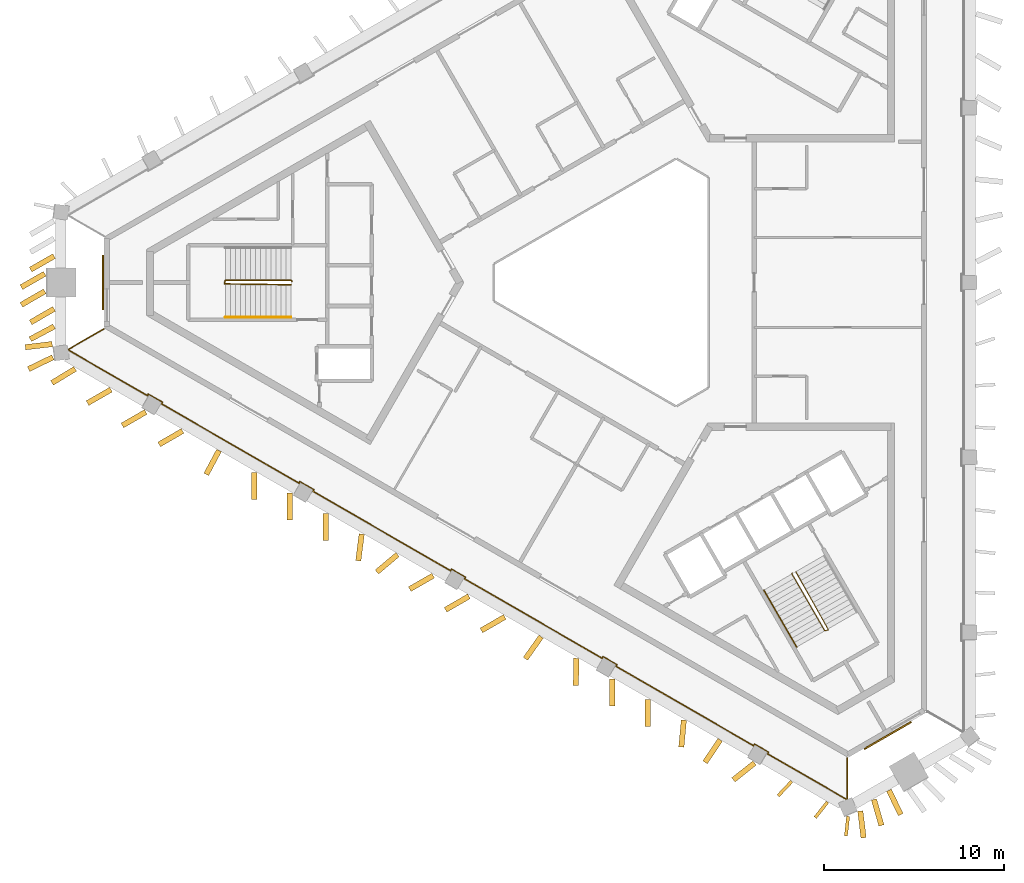
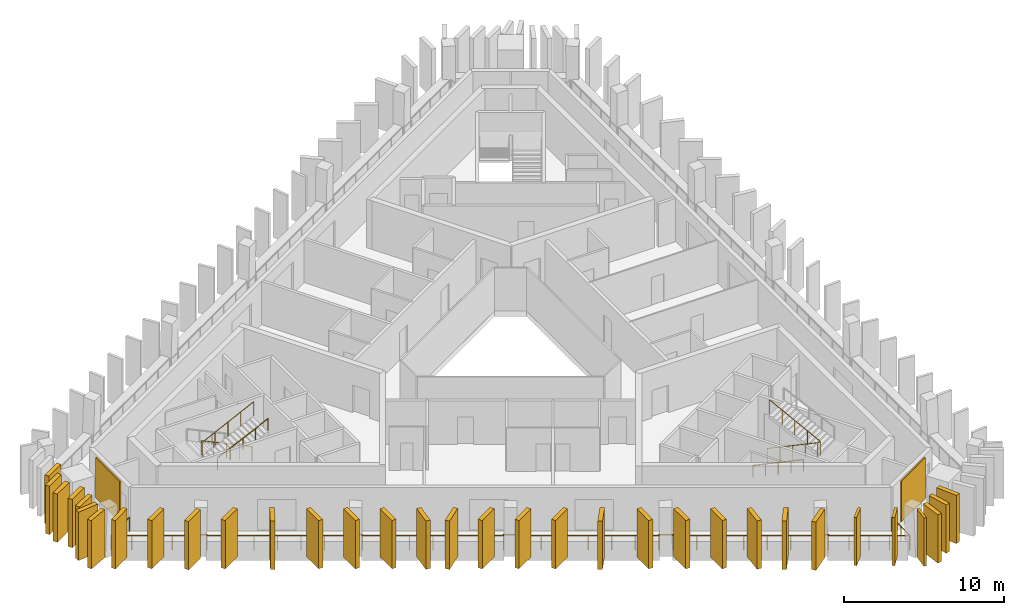
# One storey, part 7 of 9: 33 shading devices, 5 railings, 2 coverings.
"""IFC4 building model written with IfcOpenShell, lengths in metres."""

import ifcopenshell
import ifcopenshell.guid

model = None  # the IFC model being written
_history = None  # IfcOwnerHistory: only IFC2X3 demands one
_inside = {}  # id of a spatial element -> (the spatial element, [elements in it])
_under = {}  # id of a project, library or spatial element -> (it, [spatial elements below it])
_declared = {}  # id of a project -> (the project, [libraries it declares])
_typed = {}  # id of a type object -> (the type object, [elements of that type])
_made_of = {}  # id of a material, layer set ... -> (it, [elements and type objects made of it])


def new_model(schema):
    """Start an empty IFC model of exactly this schema.

    Asked for "IFC4X3", IfcOpenShell would pick the latest addendum, in which some entities
    have other attributes; the version numbers below select the first issue.
    IFC2X3 requires an IfcOwnerHistory on every rooted entity: one is made here for all.
    """
    global model, _history
    if schema == "IFC4X3":
        model = ifcopenshell.file(schema_version=(4, 3, 0, 0))
    else:
        model = ifcopenshell.file(schema=schema)
    _inside.clear()
    _under.clear()
    _declared.clear()
    _typed.clear()
    _made_of.clear()
    _history = None
    if model.schema == "IFC2X3":
        org = make("IfcOrganization", Name="unknown")
        user = make(
            "IfcPersonAndOrganization",
            ThePerson=make("IfcPerson", FamilyName="unknown"),
            TheOrganization=org,
        )
        app = make(
            "IfcApplication",
            ApplicationDeveloper=org,
            Version="unknown",
            ApplicationFullName="unknown",
            ApplicationIdentifier="unknown",
        )
        _history = make(
            "IfcOwnerHistory",
            OwningUser=user,
            OwningApplication=app,
            ChangeAction="ADDED",
            CreationDate=0,
        )
    return model


def make(cls, **values):
    """One entity of the class cls with the attributes given. An attribute that is None is left unset."""
    return model.create_entity(
        cls, **{name: value for name, value in values.items() if value is not None}
    )


def rooted(cls, **values):
    """An entity with a GlobalId (a new one), such as an element, a storey or a relation."""
    return make(cls, GlobalId=ifcopenshell.guid.new(), OwnerHistory=_history, **values)


def si_unit(unit_type, name, prefix=None):
    """IfcSIUnit, for example si_unit("LENGTHUNIT", "METRE", prefix="MILLI")."""
    return make("IfcSIUnit", UnitType=unit_type, Prefix=prefix, Name=name)


def assignment(units):
    """IfcUnitAssignment: the units of a project."""
    return None if units is None else make("IfcUnitAssignment", Units=units)


def point(xyz):
    """IfcCartesianPoint."""
    return None if xyz is None else make("IfcCartesianPoint", Coordinates=xyz)


def direction(xyz):
    """IfcDirection."""
    return None if xyz is None else make("IfcDirection", DirectionRatios=xyz)


def frame(location, z_axis=None, x_axis=None):
    """IfcAxis2Placement3D, a coordinate frame: its origin and axes. An axis left out is left unset."""
    return make(
        "IfcAxis2Placement3D",
        Location=point(location),
        Axis=direction(z_axis),
        RefDirection=direction(x_axis),
    )


def frame_2d(location, x_axis=None):
    """IfcAxis2Placement2D, a coordinate frame in the plane: its origin and x axis."""
    return make(
        "IfcAxis2Placement2D", Location=point(location), RefDirection=direction(x_axis)
    )


def origin():
    """The frame at (0, 0, 0) with its axes left unset."""
    return frame((0.0, 0.0, 0.0))


def origin_2d():
    """The frame at (0, 0) in the plane with its x axis left unset."""
    return frame_2d((0.0, 0.0))


def place(relative_to, where):
    """IfcLocalPlacement: puts the frame where relative to a parent placement (None: the world)."""
    return make(
        "IfcLocalPlacement", PlacementRelTo=relative_to, RelativePlacement=where
    )


def context(
    kind, dimensions, precision=None, world=None, true_north=None, identifier=None
):
    """IfcGeometricRepresentationContext, for example the 3D "Model" context."""
    return make(
        "IfcGeometricRepresentationContext",
        ContextIdentifier=identifier,
        ContextType=kind,
        CoordinateSpaceDimension=dimensions,
        Precision=precision,
        WorldCoordinateSystem=world,
        TrueNorth=true_north,
    )


def subcontext(parent, identifier, kind, view, scale=None):
    """IfcGeometricRepresentationSubContext, for example "Body" below "Model"."""
    return make(
        "IfcGeometricRepresentationSubContext",
        ContextIdentifier=identifier,
        ContextType=kind,
        ParentContext=parent,
        TargetScale=scale,
        TargetView=view,
    )


def project(units=None, contexts=None):
    """IfcProject with its units and contexts."""
    return rooted(
        "IfcProject",
        Name="project",
        RepresentationContexts=contexts,
        UnitsInContext=assignment(units),
    )


def spatial(cls, under=None, at=None, **own):
    """A site, building, storey or space (cls), placed at a placement, below another one or the project."""
    s = rooted(cls, ObjectPlacement=at, **own)
    if under is not None:
        _under.setdefault(under.id(), (under, []))[1].append(s)
    return s


def profile(cls, at=None, kind="AREA", **sizes):
    """A parametric profile (cls). Its sizes go by their IFC names, for example OverallWidth=200.0."""
    return make(cls, ProfileType=kind, Position=at, **sizes)


def rectangle(**sizes):
    """IfcRectangleProfileDef."""
    return profile("IfcRectangleProfileDef", **sizes)


def circle(**sizes):
    """IfcCircleProfileDef."""
    return profile("IfcCircleProfileDef", **sizes)


def extrude(swept, where, along, depth):
    """IfcExtrudedAreaSolid: the profile swept, set in the frame where, extruded along a direction by depth."""
    return make(
        "IfcExtrudedAreaSolid",
        SweptArea=swept,
        Position=where,
        ExtrudedDirection=direction(along),
        Depth=depth,
    )


def shape(context_of_items, identifier, shape_type, items):
    """IfcShapeRepresentation: the items that make up one representation, for example the "Body"."""
    return make(
        "IfcShapeRepresentation",
        ContextOfItems=context_of_items,
        RepresentationIdentifier=identifier,
        RepresentationType=shape_type,
        Items=items,
    )


def material(Name=None, Category=None):
    """IfcMaterial."""
    return make("IfcMaterial", Name=Name, Category=Category)


def layer(
    of_material, thickness, ventilated=None, Name=None, Category=None, Priority=None
):
    """IfcMaterialLayer: one layer of a wall or slab, of a material (None: an air gap)."""
    return make(
        "IfcMaterialLayer",
        Material=of_material,
        LayerThickness=thickness,
        IsVentilated=ventilated,
        Name=Name,
        Category=Category,
        Priority=Priority,
    )


def layer_set(layers, Name=None):
    """IfcMaterialLayerSet."""
    return make("IfcMaterialLayerSet", MaterialLayers=layers, LayerSetName=Name)


def made_of(thing, what):
    """Note that an element or type object is made of a material, layer set ...; save() writes the relation."""
    if what is not None:
        _made_of.setdefault(what.id(), (what, []))[1].append(thing)
    return thing


def type_object(cls, material=None, **own):
    """A type object (cls), such as IfcWallType, which elements share."""
    return made_of(rooted(cls, **own), material)


def element(
    cls,
    number,
    at=None,
    inside=None,
    cuts=None,
    type_object=None,
    material=None,
    context=None,
    identifier="Body",
    shape_type=None,
    held_by="IfcProductDefinitionShape",
    body=None,
    shapes=None,
    **own,
):
    """One element of the class cls, such as IfcWall. Its Tag is "e" and its number.

    at: its placement. inside: the storey or other place that contains it. cuts: it is an
    opening in that element (IfcRelVoidsElement). A single representation is given by context,
    identifier, shape_type and body (its items); several are given by shapes. held_by: the class
    of the entity that holds the representations. save() writes the other relations.
    """
    e = rooted(cls, Tag="e%d" % number, ObjectPlacement=at, **own)
    if body is not None:
        shapes = [shape(context, identifier, shape_type, body)]
    if shapes is not None:
        e.Representation = make(held_by, Representations=shapes)
    if inside is not None:
        _inside.setdefault(inside.id(), (inside, []))[1].append(e)
    if cuts is not None:
        rooted(
            "IfcRelVoidsElement", RelatingBuildingElement=cuts, RelatedOpeningElement=e
        )
    if type_object is not None:
        _typed.setdefault(type_object.id(), (type_object, []))[1].append(e)
    return made_of(e, material)


def aggregate(whole, parts):
    """IfcRelAggregates: a whole, such as a stair, and the parts it consists of."""
    return rooted("IfcRelAggregates", RelatingObject=whole, RelatedObjects=parts)


def save(model, path):
    """Write the relations noted so far, then the file.

    IfcRelAggregates (storeys below a building ...), IfcRelContainedInSpatialStructure (elements
    in a storey), IfcRelDefinesByType, IfcRelAssociatesMaterial and IfcRelDeclares: one each for
    every whole, place, type object, material and project.
    """
    for whole, parts in _under.values():
        aggregate(whole, parts)
    for where, things in _inside.values():
        rooted(
            "IfcRelContainedInSpatialStructure",
            RelatedElements=things,
            RelatingStructure=where,
        )
    for kind, things in _typed.values():
        rooted("IfcRelDefinesByType", RelatedObjects=things, RelatingType=kind)
    for what, things in _made_of.values():
        rooted("IfcRelAssociatesMaterial", RelatedObjects=things, RelatingMaterial=what)
    for by, libraries in _declared.values():
        rooted("IfcRelDeclares", RelatingContext=by, RelatedDefinitions=libraries)
    model.write(path)


model = new_model("IFC4")

# Units and contexts
model_context = context("Model", 3, precision=1e-05, world=origin(), true_north=direction((0.0, 1.0)))
body_context = subcontext(model_context, "Body", "Model", "MODEL_VIEW")
ifc_project = project(units=[si_unit("LENGTHUNIT", "METRE"), si_unit("AREAUNIT", "SQUARE_METRE"), si_unit("VOLUMEUNIT", "CUBIC_METRE"), si_unit("PLANEANGLEUNIT", "RADIAN"), si_unit("MASSUNIT", "GRAM", prefix="KILO")], contexts=[model_context])

# Site, building, storey
site_placement = place(None, origin())
site = spatial("IfcSite", under=ifc_project, at=site_placement, CompositionType="ELEMENT")
building_placement = place(site_placement, origin())
building = spatial("IfcBuilding", under=site, at=building_placement, Name="Jabali Bay Hotel Tower and Convention Centre", CompositionType="ELEMENT")
storey_placement = place(building_placement, frame((0.0, 0.0, 277.5)))
storey = spatial("IfcBuildingStorey", under=building, at=storey_placement, Name="L68", CompositionType="ELEMENT", Elevation=277.5)

# Railing
ifc_material_1 = material(Name="Glass", Category="glass")
railing_type_1 = type_object("IfcRailingType", Name="Loggia glass guard 1100", PredefinedType="BALUSTRADE", material=ifc_material_1)
railing_1_placement = place(storey_placement, frame((87.2490234375, 53.640869140625, 0.0)))
element("IfcRailing", 1, at=railing_1_placement, inside=storey, type_object=railing_type_1, Name="Loggia glass guard L68", PredefinedType="BALUSTRADE", context=body_context, shape_type="SweptSolid", body=[
    extrude(circle(Radius=0.02490234375, at=origin_2d()), frame((0.0, 0.0, 1.0751953125), z_axis=(0.0, -1.0, 0.0), x_axis=(0.991444861374, 0.0, 0.13052619222)), (0.0, 0.0, 1.0), 2.275146484375),
    extrude(circle(Radius=0.02490234375, at=origin_2d()), frame((0.0, -2.275146484375, 1.0751953125), z_axis=(-0.922495174035, -0.386008618922, 0.0), x_axis=(0.382706261677, -0.914603099939, 0.13052619222)), (0.0, 0.0, 1.0), 0.037353515625),
    extrude(circle(Radius=0.02490234375, at=origin_2d()), frame((-0.034423828125, -2.28955078125, 1.0751953125), z_axis=(-0.866036693549, 0.499980445045, 0.0), x_axis=(-0.495703043027, -0.85862762958, 0.13052619222)), (0.0, 0.0, 1.0), 5.051513671875),
    extrude(circle(Radius=0.02490234375, at=origin_2d()), frame((-4.4091796875, 0.236083984375, 1.0751953125), z_axis=(0.500074377092, 0.865982457891, 0.0), x_axis=(-0.858573857916, 0.495796171473, 0.13052619222)), (0.0, 0.0, 1.0), 0.10009765625),
    extrude(circle(Radius=0.02490234375, at=origin_2d()), frame((-4.359130859375, 0.32275390625, 1.0751953125), z_axis=(-0.866013897511, 0.50001992892, 0.0), x_axis=(-0.495742189112, -0.858605028566, 0.13052619222)), (0.0, 0.0, 1.0), 0.89990234375),
    extrude(circle(Radius=0.02490234375, at=origin_2d()), frame((-5.138427734375, 0.772705078125, 1.0751953125), z_axis=(-0.500074377092, -0.865982457891, 0.0), x_axis=(0.858573857916, -0.495796171473, 0.13052619222)), (0.0, 0.0, 1.0), 0.10009765625),
    extrude(circle(Radius=0.02490234375, at=origin_2d()), frame((-5.1884765625, 0.68603515625, 1.0751953125), z_axis=(-0.866022048785, 0.500005810984, 0.0), x_axis=(-0.495728191957, -0.858613110104, 0.13052619222)), (0.0, 0.0, 1.0), 8.80078125),
    extrude(circle(Radius=0.02490234375, at=origin_2d()), frame((-12.81005859375, 5.08642578125, 1.0751953125), z_axis=(0.500074377092, 0.865982457891, 0.0), x_axis=(-0.858573857916, 0.495796171473, 0.13052619222)), (0.0, 0.0, 1.0), 0.10009765625),
    extrude(circle(Radius=0.02490234375, at=origin_2d()), frame((-12.760009765625, 5.173095703125, 1.0751953125), z_axis=(-0.866081705922, 0.499902469156, 0.0), x_axis=(-0.495625734232, -0.858672256866, 0.13052619222)), (0.0, 0.0, 1.0), 0.900146484375),
    extrude(circle(Radius=0.02490234375, at=origin_2d()), frame((-13.53955078125, 5.623046875, 1.0751953125), z_axis=(-0.4982416694, -0.867038199201, 0.0), x_axis=(0.859620567213, -0.493979142849, 0.13052619222)), (0.0, 0.0, 1.0), 0.099853515625),
    extrude(circle(Radius=0.02490234375, at=origin_2d()), frame((-13.58935546875, 5.536376953125, 1.0751953125), z_axis=(-0.866022048785, 0.500005810984, 0.0), x_axis=(-0.495728191957, -0.858613110104, 0.13052619222)), (0.0, 0.0, 1.0), 8.80078125),
    extrude(circle(Radius=0.02490234375, at=origin_2d()), frame((-21.2109375, 9.936767578125, 1.0751953125), z_axis=(0.501132629342, 0.865370491644, 0.0), x_axis=(-0.857967127125, 0.496845370228, 0.13052619222)), (0.0, 0.0, 1.0), 0.099853515625),
    extrude(circle(Radius=0.02490234375, at=origin_2d()), frame((-21.160888671875, 10.023193359375, 1.0751953125), z_axis=(-0.866081705922, 0.499902469156, 0.0), x_axis=(-0.495625734232, -0.858672256866, 0.13052619222)), (0.0, 0.0, 1.0), 0.900146484375),
    extrude(circle(Radius=0.02490234375, at=origin_2d()), frame((-21.9404296875, 10.47314453125, 1.0751953125), z_axis=(-0.499298623879, -0.866429964967, 0.0), x_axis=(0.859017536507, -0.495027054936, 0.13052619222)), (0.0, 0.0, 1.0), 0.099853515625),
    extrude(circle(Radius=0.02490234375, at=origin_2d()), frame((-21.990234375, 10.38671875, 1.0751953125), z_axis=(-0.866034061049, 0.499985004878, 0.0), x_axis=(-0.49570756385, -0.858625019602, 0.13052619222)), (0.0, 0.0, 1.0), 8.800537109375),
    extrude(circle(Radius=0.02490234375, at=origin_2d()), frame((-29.61181640625, 14.786865234375, 1.0751953125), z_axis=(0.500074377092, 0.865982457891, 0.0), x_axis=(-0.858573857916, 0.495796171473, 0.13052619222)), (0.0, 0.0, 1.0), 0.10009765625),
    extrude(circle(Radius=0.02490234375, at=origin_2d()), frame((-29.561767578125, 14.87353515625, 1.0751953125), z_axis=(-0.866081705922, 0.499902469156, 0.0), x_axis=(-0.495625734232, -0.858672256866, 0.13052619222)), (0.0, 0.0, 1.0), 0.900146484375),
    extrude(circle(Radius=0.02490234375, at=origin_2d()), frame((-30.34130859375, 15.323486328125, 1.0751953125), z_axis=(-0.500074377092, -0.865982457891, 0.0), x_axis=(0.858573857916, -0.495796171473, 0.13052619222)), (0.0, 0.0, 1.0), 0.10009765625),
    extrude(circle(Radius=0.02490234375, at=origin_2d()), frame((-30.391357421875, 15.23681640625, 1.0751953125), z_axis=(-0.866015113096, 0.500017823572, 0.0), x_axis=(-0.495740101776, -0.858606233751, 0.13052619222)), (0.0, 0.0, 1.0), 8.800537109375),
    extrude(circle(Radius=0.02490234375, at=origin_2d()), frame((-38.0126953125, 19.63720703125, 1.0751953125), z_axis=(0.500074377092, 0.865982457891, 0.0), x_axis=(-0.858573857916, 0.495796171473, 0.13052619222)), (0.0, 0.0, 1.0), 0.10009765625),
    extrude(circle(Radius=0.02490234375, at=origin_2d()), frame((-37.962646484375, 19.723876953125, 1.0751953125), z_axis=(-0.866081705922, 0.499902469156, 0.0), x_axis=(-0.495625734232, -0.858672256866, 0.13052619222)), (0.0, 0.0, 1.0), 0.900146484375),
    extrude(circle(Radius=0.02490234375, at=origin_2d()), frame((-38.7421875, 20.173828125, 1.0751953125), z_axis=(-0.500074377092, -0.865982457891, 0.0), x_axis=(0.858573857916, -0.495796171473, 0.13052619222)), (0.0, 0.0, 1.0), 0.10009765625),
    extrude(circle(Radius=0.02490234375, at=origin_2d()), frame((-38.792236328125, 20.087158203125, 1.0751953125), z_axis=(-0.866015766061, 0.500016692654, 0.0), x_axis=(-0.495738980533, -0.85860688113, 0.13052619222)), (0.0, 0.0, 1.0), 5.051513671875),
    extrude(circle(Radius=0.02490234375, at=origin_2d()), frame((-43.1669921875, 22.613037109375, 1.0751953125), z_axis=(-0.11836727086, 0.992969883324, 0.0), x_axis=(-0.984474888321, -0.117354622449, 0.13052619222)), (0.0, 0.0, 1.0), 0.037109375),
    extrude(circle(Radius=0.02490234375, at=origin_2d()), frame((-43.17138671875, 22.64990234375, 1.0751953125), z_axis=(0.865989003036, 0.500063042646, 0.0), x_axis=(-0.495784933994, 0.858580347067, 0.13052619222)), (0.0, 0.0, 1.0), 2.275146484375),
    extrude(circle(Radius=0.02001953125, at=origin_2d()), origin(), (0.0, 0.0, 1.0), 1.050048828125),
    extrude(circle(Radius=0.02001953125, at=origin_2d()), frame((0.0, -1.1376953125, 0.0)), (0.0, 0.0, 1.0), 1.050048828125),
    extrude(circle(Radius=0.02001953125, at=origin_2d()), frame((0.0, -2.275146484375, 0.0)), (0.0, 0.0, 1.0), 1.050048828125),
    extrude(circle(Radius=0.02001953125, at=origin_2d()), frame((-0.034423828125, -2.28955078125, 0.0)), (0.0, 0.0, 1.0), 1.050048828125),
    extrude(circle(Radius=0.02001953125, at=origin_2d()), frame((-1.128173828125, -1.658203125, 0.0)), (0.0, 0.0, 1.0), 1.050048828125),
    extrude(circle(Radius=0.02001953125, at=origin_2d()), frame((-2.2216796875, -1.02685546875, 0.0)), (0.0, 0.0, 1.0), 1.050048828125),
    extrude(circle(Radius=0.02001953125, at=origin_2d()), frame((-3.3154296875, -0.395263671875, 0.0)), (0.0, 0.0, 1.0), 1.050048828125),
    extrude(circle(Radius=0.02001953125, at=origin_2d()), frame((-4.4091796875, 0.236083984375, 0.0)), (0.0, 0.0, 1.0), 1.050048828125),
    extrude(circle(Radius=0.02001953125, at=origin_2d()), frame((-4.359130859375, 0.32275390625, 0.0)), (0.0, 0.0, 1.0), 1.050048828125),
    extrude(circle(Radius=0.02001953125, at=origin_2d()), frame((-5.138427734375, 0.772705078125, 0.0)), (0.0, 0.0, 1.0), 1.050048828125),
    extrude(circle(Radius=0.02001953125, at=origin_2d()), frame((-5.1884765625, 0.68603515625, 0.0)), (0.0, 0.0, 1.0), 1.050048828125),
    extrude(circle(Radius=0.02001953125, at=origin_2d()), frame((-6.458740234375, 1.41943359375, 0.0)), (0.0, 0.0, 1.0), 1.050048828125),
    extrude(circle(Radius=0.02001953125, at=origin_2d()), frame((-7.72900390625, 2.15283203125, 0.0)), (0.0, 0.0, 1.0), 1.050048828125),
    extrude(circle(Radius=0.02001953125, at=origin_2d()), frame((-8.999267578125, 2.88623046875, 0.0)), (0.0, 0.0, 1.0), 1.050048828125),
    extrude(circle(Radius=0.02001953125, at=origin_2d()), frame((-10.26953125, 3.61962890625, 0.0)), (0.0, 0.0, 1.0), 1.050048828125),
    extrude(circle(Radius=0.02001953125, at=origin_2d()), frame((-11.539794921875, 4.35302734375, 0.0)), (0.0, 0.0, 1.0), 1.050048828125),
    extrude(circle(Radius=0.02001953125, at=origin_2d()), frame((-12.81005859375, 5.08642578125, 0.0)), (0.0, 0.0, 1.0), 1.050048828125),
    extrude(circle(Radius=0.02001953125, at=origin_2d()), frame((-12.760009765625, 5.173095703125, 0.0)), (0.0, 0.0, 1.0), 1.050048828125),
    extrude(circle(Radius=0.02001953125, at=origin_2d()), frame((-13.53955078125, 5.623046875, 0.0)), (0.0, 0.0, 1.0), 1.050048828125),
    extrude(circle(Radius=0.02001953125, at=origin_2d()), frame((-13.58935546875, 5.536376953125, 0.0)), (0.0, 0.0, 1.0), 1.050048828125),
    extrude(circle(Radius=0.02001953125, at=origin_2d()), frame((-14.859619140625, 6.269775390625, 0.0)), (0.0, 0.0, 1.0), 1.050048828125),
    extrude(circle(Radius=0.02001953125, at=origin_2d()), frame((-16.1298828125, 7.003173828125, 0.0)), (0.0, 0.0, 1.0), 1.050048828125),
    extrude(circle(Radius=0.02001953125, at=origin_2d()), frame((-17.400146484375, 7.736572265625, 0.0)), (0.0, 0.0, 1.0), 1.050048828125),
    extrude(circle(Radius=0.02001953125, at=origin_2d()), frame((-18.67041015625, 8.469970703125, 0.0)), (0.0, 0.0, 1.0), 1.050048828125),
    extrude(circle(Radius=0.02001953125, at=origin_2d()), frame((-19.940673828125, 9.203369140625, 0.0)), (0.0, 0.0, 1.0), 1.050048828125),
    extrude(circle(Radius=0.02001953125, at=origin_2d()), frame((-21.2109375, 9.936767578125, 0.0)), (0.0, 0.0, 1.0), 1.050048828125),
    extrude(circle(Radius=0.02001953125, at=origin_2d()), frame((-21.160888671875, 10.023193359375, 0.0)), (0.0, 0.0, 1.0), 1.050048828125),
    extrude(circle(Radius=0.02001953125, at=origin_2d()), frame((-21.9404296875, 10.47314453125, 0.0)), (0.0, 0.0, 1.0), 1.050048828125),
    extrude(circle(Radius=0.02001953125, at=origin_2d()), frame((-21.990234375, 10.38671875, 0.0)), (0.0, 0.0, 1.0), 1.050048828125),
    extrude(circle(Radius=0.02001953125, at=origin_2d()), frame((-23.260498046875, 11.1201171875, 0.0)), (0.0, 0.0, 1.0), 1.050048828125),
    extrude(circle(Radius=0.02001953125, at=origin_2d()), frame((-24.53076171875, 11.853515625, 0.0)), (0.0, 0.0, 1.0), 1.050048828125),
    extrude(circle(Radius=0.02001953125, at=origin_2d()), frame((-25.801025390625, 12.5869140625, 0.0)), (0.0, 0.0, 1.0), 1.050048828125),
    extrude(circle(Radius=0.02001953125, at=origin_2d()), frame((-27.0712890625, 13.320068359375, 0.0)), (0.0, 0.0, 1.0), 1.050048828125),
    extrude(circle(Radius=0.02001953125, at=origin_2d()), frame((-28.341552734375, 14.053466796875, 0.0)), (0.0, 0.0, 1.0), 1.050048828125),
    extrude(circle(Radius=0.02001953125, at=origin_2d()), frame((-29.61181640625, 14.786865234375, 0.0)), (0.0, 0.0, 1.0), 1.050048828125),
    extrude(circle(Radius=0.02001953125, at=origin_2d()), frame((-29.561767578125, 14.87353515625, 0.0)), (0.0, 0.0, 1.0), 1.050048828125),
    extrude(circle(Radius=0.02001953125, at=origin_2d()), frame((-30.34130859375, 15.323486328125, 0.0)), (0.0, 0.0, 1.0), 1.050048828125),
    extrude(circle(Radius=0.02001953125, at=origin_2d()), frame((-30.391357421875, 15.23681640625, 0.0)), (0.0, 0.0, 1.0), 1.050048828125),
    extrude(circle(Radius=0.02001953125, at=origin_2d()), frame((-31.66162109375, 15.97021484375, 0.0)), (0.0, 0.0, 1.0), 1.050048828125),
    extrude(circle(Radius=0.02001953125, at=origin_2d()), frame((-32.931884765625, 16.70361328125, 0.0)), (0.0, 0.0, 1.0), 1.050048828125),
    extrude(circle(Radius=0.02001953125, at=origin_2d()), frame((-34.2021484375, 17.43701171875, 0.0)), (0.0, 0.0, 1.0), 1.050048828125),
    extrude(circle(Radius=0.02001953125, at=origin_2d()), frame((-35.47216796875, 18.17041015625, 0.0)), (0.0, 0.0, 1.0), 1.050048828125),
    extrude(circle(Radius=0.02001953125, at=origin_2d()), frame((-36.742431640625, 18.90380859375, 0.0)), (0.0, 0.0, 1.0), 1.050048828125),
    extrude(circle(Radius=0.02001953125, at=origin_2d()), frame((-38.0126953125, 19.63720703125, 0.0)), (0.0, 0.0, 1.0), 1.050048828125),
    extrude(circle(Radius=0.02001953125, at=origin_2d()), frame((-37.962646484375, 19.723876953125, 0.0)), (0.0, 0.0, 1.0), 1.050048828125),
    extrude(circle(Radius=0.02001953125, at=origin_2d()), frame((-38.7421875, 20.173828125, 0.0)), (0.0, 0.0, 1.0), 1.050048828125),
    extrude(circle(Radius=0.02001953125, at=origin_2d()), frame((-38.792236328125, 20.087158203125, 0.0)), (0.0, 0.0, 1.0), 1.050048828125),
    extrude(circle(Radius=0.02001953125, at=origin_2d()), frame((-39.885986328125, 20.71875, 0.0)), (0.0, 0.0, 1.0), 1.050048828125),
    extrude(circle(Radius=0.02001953125, at=origin_2d()), frame((-40.9794921875, 21.35009765625, 0.0)), (0.0, 0.0, 1.0), 1.050048828125),
    extrude(circle(Radius=0.02001953125, at=origin_2d()), frame((-42.0732421875, 21.9814453125, 0.0)), (0.0, 0.0, 1.0), 1.050048828125),
    extrude(circle(Radius=0.02001953125, at=origin_2d()), frame((-43.1669921875, 22.613037109375, 0.0)), (0.0, 0.0, 1.0), 1.050048828125),
    extrude(circle(Radius=0.02001953125, at=origin_2d()), frame((-43.17138671875, 22.64990234375, 0.0)), (0.0, 0.0, 1.0), 1.050048828125),
    extrude(circle(Radius=0.02001953125, at=origin_2d()), frame((-42.186279296875, 23.21875, 0.0)), (0.0, 0.0, 1.0), 1.050048828125),
    extrude(circle(Radius=0.02001953125, at=origin_2d()), frame((-41.201171875, 23.78759765625, 0.0)), (0.0, 0.0, 1.0), 1.050048828125),
])

# Shading devices
ifc_material_2 = material(Name="Precast concrete C60", Category="concrete")
ifc_layer_1 = layer(ifc_material_2, 0.179931640625)
ifc_layer_set_1 = layer_set([ifc_layer_1], Name="Precast concrete C60")
shading_device_type_1 = type_object("IfcShadingDeviceType", Name="Precast fin 3680 x 1100", PredefinedType="USERDEFINED", material=ifc_layer_set_1)
for number, where, z_axis, x_axis, name in (
    (2, (84.166259765625, 52.345458984375, 0.010009765625), (0.0, 0.0, 1.0), (-0.685593127765, -0.727984933334, 0.0), "Fin L68 080"),
    (3, (86.154296875, 51.206787109375, 0.010009765625), (0.0, 0.0, 1.0), (-0.619593920341, -0.784922527309, 0.0), "Fin L68 081"),
):
    element("IfcShadingDevice", number, at=place(storey_placement, frame(where, z_axis=z_axis, x_axis=x_axis)), inside=storey, type_object=shading_device_type_1, Name=name, ObjectType="FIN", PredefinedType="USERDEFINED", context=body_context, shape_type="SweptSolid", body=[
        extrude(rectangle(XDim=1.10009765625, YDim=0.179931640625, at=frame_2d((0.550048828125, 0.0))), origin(), (0.0, 0.0, 1.0), 3.679931640625),
    ])
shading_device_1_placement = place(storey_placement, frame((87.299072265625, 50.416259765625, 0.010009765625), z_axis=(0.0, 0.0, 1.0), x_axis=(-0.114084918435, -0.993471001784, 0.0)))
element("IfcShadingDevice", 4, at=shading_device_1_placement, inside=storey, type_object=shading_device_type_1, Name="Fin L68 095", ObjectType="FIN", PredefinedType="USERDEFINED", context=body_context, shape_type="SweptSolid", body=[
    extrude(rectangle(XDim=1.099853515625, YDim=0.179931640625, at=frame_2d((0.5498046875, 0.0))), origin(), (0.0, 0.0, 1.0), 3.679931640625),
])
ifc_layer_2 = layer(ifc_material_2, 0.300048828125)
ifc_layer_set_2 = layer_set([ifc_layer_2], Name="Precast concrete C60")
shading_device_type_2 = type_object("IfcShadingDeviceType", Name="Precast fin 3680 x 1500", PredefinedType="USERDEFINED", material=ifc_layer_set_2)
shading_device_2_placement = place(storey_placement, frame((43.285888671875, 81.46240234375, 0.010009765625), z_axis=(0.0, 0.0, 1.0), x_axis=(-0.86599040064, -0.500060622324, 0.0)))
element("IfcShadingDevice", 5, at=shading_device_2_placement, inside=storey, type_object=shading_device_type_2, Name="Fin L68 054", ObjectType="FIN", PredefinedType="USERDEFINED", context=body_context, shape_type="SweptSolid", body=[
    extrude(rectangle(XDim=1.499755859375, YDim=0.300048828125, at=frame_2d((0.75, 0.0))), origin(), (0.0, 0.0, 1.0), 3.679931640625),
])
for number, where, z_axis, x_axis, name in (
    (6, (42.773193359375, 80.487548828125, 0.010009765625), (0.0, 0.0, 1.0), (-0.866031096941, -0.499990139034, 0.0), "Fin L68 055"),
    (7, (42.773193359375, 79.512451171875, 0.010009765625), (0.0, 0.0, 1.0), (-0.866031096941, -0.499990139034, 0.0), "Fin L68 056"),
):
    element("IfcShadingDevice", number, at=place(storey_placement, frame(where, z_axis=z_axis, x_axis=x_axis)), inside=storey, type_object=shading_device_type_2, Name=name, ObjectType="FIN", PredefinedType="USERDEFINED", context=body_context, shape_type="SweptSolid", body=[
        extrude(rectangle(XDim=1.5, YDim=0.300048828125, at=frame_2d((0.75, 0.0))), origin(), (0.0, 0.0, 1.0), 3.679931640625),
    ])
shading_device_3_placement = place(storey_placement, frame((43.285888671875, 78.53759765625, 0.010009765625), z_axis=(0.0, 0.0, 1.0), x_axis=(-0.86599040064, -0.500060622324, 0.0)))
element("IfcShadingDevice", 8, at=shading_device_3_placement, inside=storey, type_object=shading_device_type_2, Name="Fin L68 057", ObjectType="FIN", PredefinedType="USERDEFINED", context=body_context, shape_type="SweptSolid", body=[
    extrude(rectangle(XDim=1.499755859375, YDim=0.300048828125, at=frame_2d((0.75, 0.0))), origin(), (0.0, 0.0, 1.0), 3.679931640625),
])
shading_device_4_placement = place(storey_placement, frame((43.29052734375, 77.562744140625, 0.010009765625), z_axis=(0.0, 0.0, 1.0), x_axis=(-0.882573593505, -0.470174278377, 0.0)))
element("IfcShadingDevice", 9, at=shading_device_4_placement, inside=storey, type_object=shading_device_type_2, Name="Fin L68 058", ObjectType="FIN", PredefinedType="USERDEFINED", context=body_context, shape_type="SweptSolid", body=[
    extrude(rectangle(XDim=1.500244140625, YDim=0.300048828125, at=frame_2d((0.75, 0.0))), origin(), (0.0, 0.0, 1.0), 3.679931640625),
])
for number, where, z_axis, x_axis, name in (
    (10, (43.18505859375, 76.587890625, 0.010009765625), (0.0, 0.0, 1.0), (-0.993051365333, -0.117681714004, 0.0), "Fin L68 059"),
    (11, (44.45751953125, 75.211669921875, 0.010009765625), (0.0, 0.0, 1.0), (-0.856053575416, -0.51688710181, 0.0), "Fin L68 060"),
    (12, (46.440185546875, 74.06396484375, 0.010009765625), (0.0, 0.0, 1.0), (-0.865919906206, -0.500182682664, 0.0), "Fin L68 061"),
    (13, (48.37060546875, 72.825439453125, 0.010009765625), (0.0, 0.0, 1.0), (-0.865919906206, -0.500182682664, 0.0), "Fin L68 062"),
):
    element("IfcShadingDevice", number, at=place(storey_placement, frame(where, z_axis=z_axis, x_axis=x_axis)), inside=storey, type_object=shading_device_type_2, Name=name, ObjectType="FIN", PredefinedType="USERDEFINED", context=body_context, shape_type="SweptSolid", body=[
        extrude(rectangle(XDim=1.5, YDim=0.300048828125, at=frame_2d((0.75, 0.0))), origin(), (0.0, 0.0, 1.0), 3.679931640625),
    ])
shading_device_5_placement = place(storey_placement, frame((50.408447265625, 71.77294921875, 0.010009765625), z_axis=(0.0, 0.0, 1.0), x_axis=(-0.86599040064, -0.500060622324, 0.0)))
element("IfcShadingDevice", 14, at=shading_device_5_placement, inside=storey, type_object=shading_device_type_2, Name="Fin L68 063", ObjectType="FIN", PredefinedType="USERDEFINED", context=body_context, shape_type="SweptSolid", body=[
    extrude(rectangle(XDim=1.499755859375, YDim=0.300048828125, at=frame_2d((0.75, 0.0))), origin(), (0.0, 0.0, 1.0), 3.679931640625),
])
shading_device_6_placement = place(storey_placement, frame((52.427734375, 70.68798828125, 0.010009765625), z_axis=(0.0, 0.0, 1.0), x_axis=(-0.470816285405, -0.882231276592, 0.0)))
element("IfcShadingDevice", 15, at=shading_device_6_placement, inside=storey, type_object=shading_device_type_2, Name="Fin L68 064", ObjectType="FIN", PredefinedType="USERDEFINED", context=body_context, shape_type="SweptSolid", body=[
    extrude(rectangle(XDim=1.500244140625, YDim=0.300048828125, at=frame_2d((0.75, 0.0))), origin(), (0.0, 0.0, 1.0), 3.679931640625),
])
for number, where, z_axis, x_axis, name in (
    (16, (54.376953125, 69.481689453125, 0.010009765625), (0.0, 0.0, 1.0), (0.0, -1.0, 0.0), "Fin L68 065"),
    (17, (56.361083984375, 68.336181640625, 0.010009765625), (0.0, 0.0, 1.0), (0.0, -1.0, 0.0), "Fin L68 066"),
    (18, (58.34521484375, 67.190673828125, 0.010009765625), (0.0, 0.0, 1.0), (0.0, -1.0, 0.0), "Fin L68 067"),
    (19, (60.337890625, 66.059814453125, 0.010009765625), (0.0, 0.0, 1.0), (-0.126959010851, -0.991907964261, 0.0), "Fin L68 068"),
    (20, (62.325439453125, 64.92041015625, 0.010009765625), (0.0, 0.0, 1.0), (-0.764607239585, -0.644496523788, 0.0), "Fin L68 069"),
    (21, (64.297607421875, 63.75390625, 0.010009765625), (0.0, 0.0, 1.0), (-0.866031096941, -0.499990139034, 0.0), "Fin L68 070"),
    (22, (66.28173828125, 62.6083984375, 0.010009765625), (0.0, 0.0, 1.0), (-0.866031096941, -0.499990139034, 0.0), "Fin L68 071"),
    (23, (68.265869140625, 61.462890625, 0.010009765625), (0.0, 0.0, 1.0), (-0.866031096941, -0.499990139034, 0.0), "Fin L68 072"),
    (24, (70.280517578125, 60.3701171875, 0.010009765625), (0.0, 0.0, 1.0), (-0.578324400229, -0.815806893878, 0.0), "Fin L68 073"),
    (25, (72.2353515625, 59.174072265625, 0.010009765625), (0.0, 0.0, 1.0), (-0.019042615129, -0.999818672965, 0.0), "Fin L68 074"),
    (26, (74.21826171875, 58.0263671875, 0.010009765625), (0.0, 0.0, 1.0), (-0.000325520816, -0.999999947018, 0.0), "Fin L68 075"),
    (27, (76.20263671875, 56.880859375, 0.010009765625), (0.0, 0.0, 1.0), (-0.001627602011, -0.999998675455, 0.0), "Fin L68 076"),
    (28, (78.19287109375, 55.745849609375, 0.010009765625), (0.0, 0.0, 1.0), (-0.093426423264, -0.995626186596, 0.0), "Fin L68 077"),
    (29, (80.203125, 54.6455078125, 0.010009765625), (0.0, 0.0, 1.0), (-0.558600379479, -0.829436927105, 0.0), "Fin L68 078"),
    (30, (82.111328125, 53.368408203125, 0.010009765625), (0.0, 0.0, 1.0), (-0.782058311973, -0.623205260467, 0.0), "Fin L68 079"),
    (31, (87.971435546875, 50.708740234375, 0.010009765625), (0.0, 0.0, 1.0), (0.12159028223, -0.992580376225, 0.0), "Fin L68 082"),
    (32, (88.726806640625, 51.349853515625, 0.010009765625), (0.0, 0.0, 1.0), (0.2771924377, -0.960814421458, 0.0), "Fin L68 083"),
    (33, (89.55859375, 51.859130859375, 0.010009765625), (0.0, 0.0, 1.0), (0.435195046396, -0.900336199201, 0.0), "Fin L68 084"),
):
    element("IfcShadingDevice", number, at=place(storey_placement, frame(where, z_axis=z_axis, x_axis=x_axis)), inside=storey, type_object=shading_device_type_2, Name=name, ObjectType="FIN", PredefinedType="USERDEFINED", context=body_context, shape_type="SweptSolid", body=[
        extrude(rectangle(XDim=1.5, YDim=0.300048828125, at=frame_2d((0.75, 0.0))), origin(), (0.0, 0.0, 1.0), 3.679931640625),
    ])
shading_device_7_placement = place(storey_placement, frame((43.2265625, 75.857177734375, 0.010009765625), z_axis=(0.0, 0.0, 1.0), x_axis=(-0.899988308558, -0.435914033336, 0.0)))
element("IfcShadingDevice", 34, at=shading_device_7_placement, inside=storey, type_object=shading_device_type_2, Name="Fin L68 094", ObjectType="FIN", PredefinedType="USERDEFINED", context=body_context, shape_type="SweptSolid", body=[
    extrude(rectangle(XDim=1.499755859375, YDim=0.300048828125, at=frame_2d((0.75, 0.0))), origin(), (0.0, 0.0, 1.0), 3.679931640625),
])

# Coverings
ifc_material_3 = material(Name="Precast concrete C40/50", Category="concrete")
ifc_layer_3 = layer(ifc_material_3, 0.080078125)
ifc_layer_set_3 = layer_set([ifc_layer_3], Name="Precast concrete C40/50")
covering_type = type_object("IfcCoveringType", Name="Relief panel 3000 x 3100", PredefinedType="CLADDING", material=ifc_layer_set_3)
for number, where, z_axis, x_axis, name in (
    (35, (46.0078125, 80.0, 0.099853515625), (0.0, 0.0, 1.0), (0.0, 1.0, 0.0), "Relief panel L68"),
    (36, (89.49609375, 54.89208984375, 0.099853515625), (0.0, 0.0, 1.0), (-0.866025434537, -0.499999946735, 0.0), "Relief panel L68"),
):
    element("IfcCovering", number, at=place(storey_placement, frame(where, z_axis=z_axis, x_axis=x_axis)), inside=storey, type_object=covering_type, Name=name, PredefinedType="CLADDING", context=body_context, shape_type="SweptSolid", body=[
        extrude(rectangle(XDim=3.0, YDim=0.080078125, at=origin_2d()), origin(), (0.0, 0.0, 1.0), 3.10009765625),
    ])

# Railings
ifc_material_4 = material(Name="Steel Q355B", Category="steel")
railing_type_2 = type_object("IfcRailingType", Name="Stair guard 1100", PredefinedType="GUARDRAIL", material=ifc_material_4)
railing_2_placement = place(storey_placement, frame((56.469970703125, 80.074951171875, 0.0)))
element("IfcRailing", 37, at=railing_2_placement, inside=storey, type_object=railing_type_2, Name="L68 ST1 stair guard 1", PredefinedType="GUARDRAIL", context=body_context, shape_type="SweptSolid", body=[
    extrude(circle(Radius=0.02392578125, at=origin_2d()), frame((0.0, 0.0, 1.076171875), z_axis=(-0.333993628408, 0.333993628408, 0.881417331555), x_axis=(-0.707106781187, -0.707106781187, 0.0)), (0.0, 0.0, 1.0), 0.14990234375),
    extrude(circle(Radius=0.02392578125, at=origin_2d()), frame((-0.050048828125, 0.050048828125, 1.2080078125), z_axis=(-0.904327350853, 0.0, 0.426839598092), x_axis=(0.0, -1.0, 0.0)), (0.0, 0.0, 1.0), 4.02490234375),
    extrude(circle(Radius=0.02392578125, at=origin_2d()), frame((-3.68994140625, 0.050048828125, 2.92626953125), z_axis=(-0.242814311512, -0.970072785993, 0.0), x_axis=(0.970072785993, -0.242814311512, 0.0)), (0.0, 0.0, 1.0), 0.2060546875),
    extrude(circle(Radius=0.02392578125, at=origin_2d()), frame((-3.739990234375, -0.14990234375, 2.92626953125), z_axis=(0.893887803671, -0.012124321804, 0.4481267625), x_axis=(0.013562335953, 0.999908027292, 0.0)), (0.0, 0.0, 1.0), 4.1279296875),
    extrude(circle(Radius=0.02099609375, at=origin_2d()), origin(), (0.0, 0.0, 1.0), 1.052001953125),
    extrude(circle(Radius=0.02099609375, at=origin_2d()), frame((-0.050048828125, 0.050048828125, 0.132080078125)), (0.0, 0.0, 1.0), 1.052001953125),
    extrude(circle(Radius=0.02099609375, at=origin_2d()), frame((-0.9599609375, 0.050048828125, 0.5615234375)), (0.0, 0.0, 1.0), 1.052001953125),
    extrude(circle(Radius=0.02099609375, at=origin_2d()), frame((-1.8701171875, 0.050048828125, 0.9912109375)), (0.0, 0.0, 1.0), 1.052001953125),
    extrude(circle(Radius=0.02099609375, at=origin_2d()), frame((-2.780029296875, 0.050048828125, 1.420654296875)), (0.0, 0.0, 1.0), 1.052001953125),
    extrude(circle(Radius=0.02099609375, at=origin_2d()), frame((-3.68994140625, 0.050048828125, 1.85009765625)), (0.0, 0.0, 1.0), 1.052001953125),
    extrude(circle(Radius=0.02099609375, at=origin_2d()), frame((-3.739990234375, -0.14990234375, 1.85009765625)), (0.0, 0.0, 1.0), 1.052001953125),
    extrude(circle(Radius=0.02099609375, at=origin_2d()), frame((-2.8173828125, -0.162353515625, 2.3125)), (0.0, 0.0, 1.0), 1.052001953125),
    extrude(circle(Radius=0.02099609375, at=origin_2d()), frame((-1.89501953125, -0.1748046875, 2.77490234375)), (0.0, 0.0, 1.0), 1.052001953125),
    extrude(circle(Radius=0.02099609375, at=origin_2d()), frame((-0.97265625, -0.1875, 3.237548828125)), (0.0, 0.0, 1.0), 1.052001953125),
    extrude(circle(Radius=0.02099609375, at=origin_2d()), frame((-0.050048828125, -0.199951171875, 3.699951171875)), (0.0, 0.0, 1.0), 1.052001953125),
])
railing_3_placement = place(storey_placement, frame((84.199951171875, 63.9150390625, 0.0)))
element("IfcRailing", 38, at=railing_3_placement, inside=storey, type_object=railing_type_2, Name="L68 ST3 stair guard 1", PredefinedType="GUARDRAIL", context=body_context, shape_type="SweptSolid", body=[
    extrude(circle(Radius=0.02392578125, at=origin_2d()), frame((0.0, 0.0, 1.076171875), z_axis=(-0.122196845461, -0.456201556387, 0.881446578591), x_axis=(0.965948051503, -0.258736085224, 0.0)), (0.0, 0.0, 1.0), 0.14990234375),
    extrude(circle(Radius=0.02392578125, at=origin_2d()), frame((-0.018310546875, -0.068359375, 1.2080078125), z_axis=(0.45217862506, -0.783169739339, 0.426825081763), x_axis=(0.866018046521, 0.500012742938, 0.0)), (0.0, 0.0, 1.0), 4.025146484375),
    extrude(circle(Radius=0.02392578125, at=origin_2d()), frame((1.8017578125, -3.220703125, 2.92626953125), z_axis=(0.96121063429, 0.275815366736, 0.0), x_axis=(-0.275815366736, 0.96121063429, 0.0)), (0.0, 0.0, 1.0), 0.206298828125),
    extrude(circle(Radius=0.02392578125, at=origin_2d()), frame((2.0, -3.163818359375, 2.92626953125), z_axis=(-0.436481798955, 0.780166857725, 0.448133142368), x_axis=(-0.872702246529, -0.488252792008, 0.0)), (0.0, 0.0, 1.0), 4.1279296875),
    extrude(circle(Radius=0.02099609375, at=origin_2d()), origin(), (0.0, 0.0, 1.0), 1.052001953125),
    extrude(circle(Radius=0.02099609375, at=origin_2d()), frame((-0.018310546875, -0.068359375, 0.132080078125)), (0.0, 0.0, 1.0), 1.052001953125),
    extrude(circle(Radius=0.02099609375, at=origin_2d()), frame((0.436767578125, -0.8564453125, 0.5615234375)), (0.0, 0.0, 1.0), 1.052001953125),
    extrude(circle(Radius=0.02099609375, at=origin_2d()), frame((0.8916015625, -1.64453125, 0.9912109375)), (0.0, 0.0, 1.0), 1.052001953125),
    extrude(circle(Radius=0.02099609375, at=origin_2d()), frame((1.3466796875, -2.4326171875, 1.420654296875)), (0.0, 0.0, 1.0), 1.052001953125),
    extrude(circle(Radius=0.02099609375, at=origin_2d()), frame((1.8017578125, -3.220703125, 1.85009765625)), (0.0, 0.0, 1.0), 1.052001953125),
    extrude(circle(Radius=0.02099609375, at=origin_2d()), frame((2.0, -3.163818359375, 1.85009765625)), (0.0, 0.0, 1.0), 1.052001953125),
    extrude(circle(Radius=0.02099609375, at=origin_2d()), frame((1.549560546875, -2.358642578125, 2.3125)), (0.0, 0.0, 1.0), 1.052001953125),
    extrude(circle(Radius=0.02099609375, at=origin_2d()), frame((1.09912109375, -1.5537109375, 2.77490234375)), (0.0, 0.0, 1.0), 1.052001953125),
    extrude(circle(Radius=0.02099609375, at=origin_2d()), frame((0.648681640625, -0.74853515625, 3.237548828125)), (0.0, 0.0, 1.0), 1.052001953125),
    extrude(circle(Radius=0.02099609375, at=origin_2d()), frame((0.1982421875, 0.056640625, 3.699951171875)), (0.0, 0.0, 1.0), 1.052001953125),
])
railing_type_3 = type_object("IfcRailingType", Name="Stair handrail 900", PredefinedType="HANDRAIL", material=ifc_material_4)
railing_4_placement = place(storey_placement, frame((52.780029296875, 78.074951171875, 1.982177734375)))
element("IfcRailing", 39, at=railing_4_placement, inside=storey, type_object=railing_type_3, Name="L68 ST1 stair handrail 2", PredefinedType="HANDRAIL", context=body_context, shape_type="SweptSolid", body=[
    extrude(circle(Radius=0.02392578125, at=origin_2d()), frame((0.0, 0.0, 0.8759765625), z_axis=(0.904350763662, 0.0, 0.426789990819), x_axis=(0.0, 1.0, 0.0)), (0.0, 0.0, 1.0), 4.02490234375),
    extrude(circle(Radius=0.02099609375, at=origin_2d()), origin(), (0.0, 0.0, 1.0), 0.851806640625),
    extrude(circle(Radius=0.02099609375, at=origin_2d()), frame((0.909912109375, 0.0, 0.429443359375)), (0.0, 0.0, 1.0), 0.851806640625),
    extrude(circle(Radius=0.02099609375, at=origin_2d()), frame((1.81982421875, 0.0, 0.85888671875)), (0.0, 0.0, 1.0), 0.851806640625),
    extrude(circle(Radius=0.02099609375, at=origin_2d()), frame((2.72998046875, 0.0, 1.288330078125)), (0.0, 0.0, 1.0), 0.851806640625),
    extrude(circle(Radius=0.02099609375, at=origin_2d()), frame((3.639892578125, 0.0, 1.7177734375)), (0.0, 0.0, 1.0), 0.851806640625),
])
railing_5_placement = place(storey_placement, frame((82.622802734375, 62.94677734375, 0.132080078125)))
element("IfcRailing", 40, at=railing_5_placement, inside=storey, type_object=railing_type_3, Name="L68 ST3 stair handrail 1", PredefinedType="HANDRAIL", context=body_context, shape_type="SweptSolid", body=[
    extrude(circle(Radius=0.02392578125, at=origin_2d()), frame((0.0, 0.0, 0.8759765625), z_axis=(0.45217862506, -0.783169739339, 0.426825081763), x_axis=(0.866018046521, 0.500012742938, 0.0)), (0.0, 0.0, 1.0), 4.025146484375),
    extrude(circle(Radius=0.02099609375, at=origin_2d()), origin(), (0.0, 0.0, 1.0), 0.851806640625),
    extrude(circle(Radius=0.02099609375, at=origin_2d()), frame((0.455078125, -0.7880859375, 0.429443359375)), (0.0, 0.0, 1.0), 0.851806640625),
    extrude(circle(Radius=0.02099609375, at=origin_2d()), frame((0.91015625, -1.576171875, 0.85888671875)), (0.0, 0.0, 1.0), 0.851806640625),
    extrude(circle(Radius=0.02099609375, at=origin_2d()), frame((1.364990234375, -2.3642578125, 1.28857421875)), (0.0, 0.0, 1.0), 0.851806640625),
    extrude(circle(Radius=0.02099609375, at=origin_2d()), frame((1.820068359375, -3.15234375, 1.718017578125)), (0.0, 0.0, 1.0), 0.851806640625),
])

save(model, "model.ifc")
